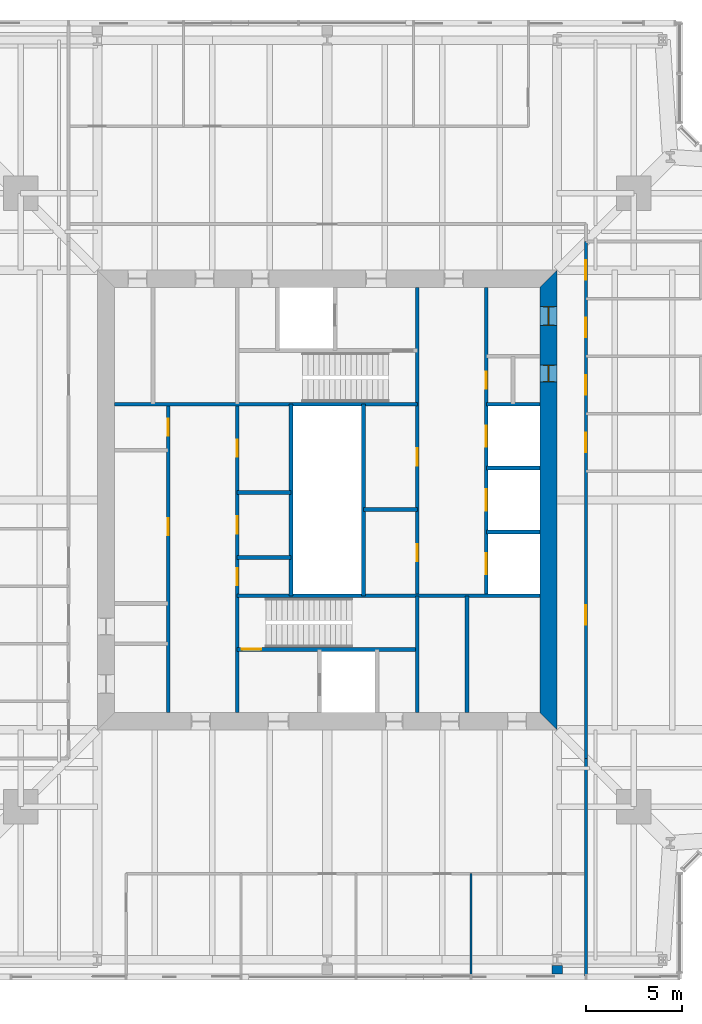
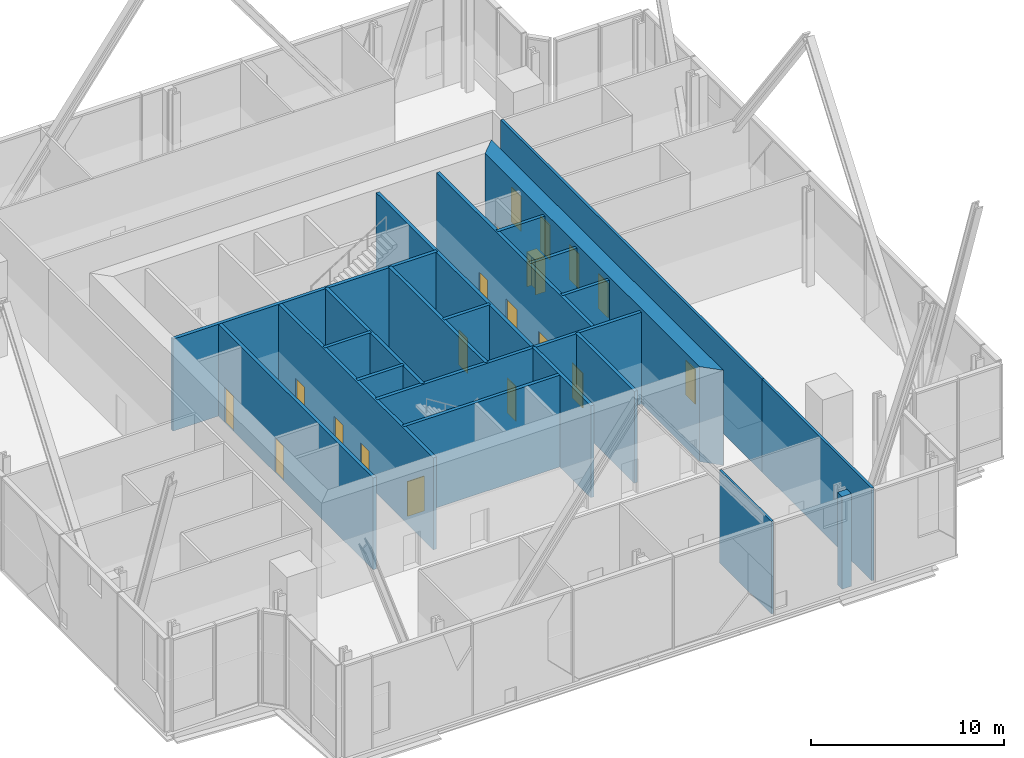
# One storey, part 11 of 20: 22 walls, 19 doors, 19 openings.
"""IFC4 building model written with IfcOpenShell, lengths in metres."""

from ifc_helpers import new_model, si_unit, direction, frame, frame_2d, origin, place, context, subcontext, project, spatial, polyline, rectangle, outline, extrude, material, layer, layer_set, type_object, element, fill, save


model = new_model("IFC4")

# Units and contexts
model_context = context("Model", 3, precision=1e-05, world=origin(), true_north=direction((0.0, 1.0)))
body_context = subcontext(model_context, "Body", "Model", "MODEL_VIEW")
ifc_project = project(units=[si_unit("LENGTHUNIT", "METRE"), si_unit("AREAUNIT", "SQUARE_METRE"), si_unit("VOLUMEUNIT", "CUBIC_METRE"), si_unit("PLANEANGLEUNIT", "RADIAN"), si_unit("MASSUNIT", "GRAM", prefix="KILO")], contexts=[model_context])

# Site, building, storey
site_placement = place(None, origin())
site = spatial("IfcSite", under=ifc_project, at=site_placement, CompositionType="ELEMENT")
building_placement = place(site_placement, origin())
building = spatial("IfcBuilding", under=site, at=building_placement, Name="Fenwick Lantern Interchange", CompositionType="ELEMENT")
storey_placement = place(building_placement, frame((0.0, 0.0, 239.800048828125)))
storey = spatial("IfcBuildingStorey", under=building, at=storey_placement, Name="L56", CompositionType="ELEMENT", Elevation=239.800048828125)

# Wall
ifc_material_1 = material(Name="Fire-rated gypsum board encasement on steel studs, 2 hour", Category="steel")
ifc_layer_1 = layer(ifc_material_1, 0.554931640625)
ifc_layer_set_1 = layer_set([ifc_layer_1], Name="COLUMN PIER 555")
wall_type_1 = type_object("IfcWallType", Name="COLUMN PIER 555", PredefinedType="PARTITIONING", material=ifc_layer_set_1)
wall_1_placement = place(storey_placement, frame((37.0, 0.25, 0.0), z_axis=(0.0, 0.0, 1.0), x_axis=(0.0, 1.0, 0.0)))
element("IfcWall", 1, at=wall_1_placement, inside=storey, type_object=wall_type_1, Name="L56/W/PIER/CS4", PredefinedType="PARTITIONING", context=body_context, shape_type="SweptSolid", body=[
    extrude(rectangle(XDim=0.465576171875, YDim=0.554931640625, at=frame_2d((0.23291015625, 0.0))), origin(), (0.0, 0.0, 1.0), 5.849853515625),
])

# Wall, openings, doors
ifc_material_2 = material(Name="Concrete masonry ASTM C90 Grade N", Category="masonry")
ifc_layer_2 = layer(ifc_material_2, 0.199951171875)
ifc_layer_set_2 = layer_set([ifc_layer_2], Name="Concrete masonry ASTM C90 Grade N")
wall_type_2 = type_object("IfcWallType", Name="CORE PARTITION 200", PredefinedType="PARTITIONING", material=ifc_layer_set_2)
wall_2_placement = place(storey_placement, frame((16.699951171875, 13.89990234375, 0.0), z_axis=(0.0, 0.0, 1.0), x_axis=(0.0, 1.0, 0.0)))
wall_2 = element("IfcWall", 2, at=wall_2_placement, inside=storey, type_object=wall_type_2, Name="L56/W/CORES/a", PredefinedType="PARTITIONING", context=body_context, shape_type="SweptSolid", body=[
    extrude(rectangle(XDim=16.10009765625, YDim=0.199951171875, at=frame_2d((8.050048828125, 0.0))), origin(), (0.0, 0.0, 1.0), 5.800048828125),
])
opening_1_placement = place(wall_2_placement, frame((9.25, 0.0, 0.0)))
opening_1 = element("IfcOpeningElement", 3, at=opening_1_placement, cuts=wall_2, Name="Opening L56-D009", PredefinedType="OPENING", context=body_context, shape_type="SweptSolid", body=[
    extrude(rectangle(XDim=0.89990234375, YDim=2.199951171875, at=frame_2d((0.449951171875, 1.10009765625))), frame((0.0, 0.10986328125, 0.0), z_axis=(0.0, -1.0, 0.0), x_axis=(1.0, 0.0, 0.0)), (0.0, 0.0, 1.0), 0.219970703125),
])
opening_2_placement = place(wall_2_placement, frame((14.449951171875, 0.0, 0.0)))
opening_2 = element("IfcOpeningElement", 4, at=opening_2_placement, cuts=wall_2, Name="Opening L56-D010", PredefinedType="OPENING", context=body_context, shape_type="SweptSolid", body=[
    extrude(rectangle(XDim=0.89990234375, YDim=2.199951171875, at=frame_2d((0.449951171875, 1.10009765625))), frame((0.0, 0.10986328125, 0.0), z_axis=(0.0, -1.0, 0.0), x_axis=(1.0, 0.0, 0.0)), (0.0, 0.0, 1.0), 0.219970703125),
])
ifc_material_3 = material(Name="Steel door and frame", Category="steel")
door_type_1 = type_object("IfcDoorType", Name="SERVICE DOOR 900 X 2200", OperationType="SINGLE_SWING_LEFT", PredefinedType="DOOR", material=ifc_material_3)
door_1_placement = place(opening_1_placement, origin())
door_1 = element("IfcDoor", 5, at=door_1_placement, inside=storey, type_object=door_type_1, Name="Service door", OperationType="SINGLE_SWING_LEFT", OverallHeight=2.199951171875, OverallWidth=0.89990234375, PredefinedType="DOOR", context=body_context, shape_type="SweptSolid", body=[
    extrude(rectangle(XDim=0.89990234375, YDim=2.199951171875, at=frame_2d((0.449951171875, 1.10009765625))), frame((0.0, 0.02490234375, 0.0), z_axis=(0.0, -1.0, 0.0), x_axis=(1.0, 0.0, 0.0)), (0.0, 0.0, 1.0), 0.050048828125),
])
fill(opening_1, door_1)
door_2_placement = place(opening_2_placement, origin())
door_2 = element("IfcDoor", 6, at=door_2_placement, inside=storey, type_object=door_type_1, Name="Service door", OperationType="SINGLE_SWING_LEFT", OverallHeight=2.199951171875, OverallWidth=0.89990234375, PredefinedType="DOOR", context=body_context, shape_type="SweptSolid", body=[
    extrude(rectangle(XDim=0.89990234375, YDim=2.199951171875, at=frame_2d((0.449951171875, 1.10009765625))), frame((0.0, 0.02490234375, 0.0), z_axis=(0.0, -1.0, 0.0), x_axis=(1.0, 0.0, 0.0)), (0.0, 0.0, 1.0), 0.050048828125),
])
fill(opening_2, door_2)

# Walls
wall_3_placement = place(storey_placement, frame((23.10009765625, 20.0, 0.0), z_axis=(0.0, 0.0, 1.0), x_axis=(0.0, 1.0, 0.0)))
element("IfcWall", 7, at=wall_3_placement, inside=storey, type_object=wall_type_2, Name="L56/W/CORES/e3", PredefinedType="PARTITIONING", context=body_context, shape_type="SweptSolid", body=[
    extrude(rectangle(XDim=10.0, YDim=0.199951171875, at=frame_2d((5.0, 0.0))), origin(), (0.0, 0.0, 1.0), 5.800048828125),
])
wall_4_placement = place(storey_placement, frame((32.300048828125, 13.89990234375, 0.0), z_axis=(0.0, 0.0, 1.0), x_axis=(0.0, 1.0, 0.0)))
element("IfcWall", 8, at=wall_4_placement, inside=storey, type_object=wall_type_2, Name="L56/W/CORES/i2", PredefinedType="PARTITIONING", context=body_context, shape_type="SweptSolid", body=[
    extrude(rectangle(XDim=6.10009765625, YDim=0.199951171875, at=frame_2d((3.050048828125, 0.0))), origin(), (0.0, 0.0, 1.0), 5.800048828125),
])
for number, where, z_axis, x_axis, name in (
    (9, (20.300048828125, 22.0, 0.0), (0.0, 0.0, 1.0), (1.0, 0.0, 0.0), "L56/W/CORES/q1"),
    (10, (20.300048828125, 25.39990234375, 0.0), (0.0, 0.0, 1.0), (1.0, 0.0, 0.0), "L56/W/CORES/q2"),
):
    element("IfcWall", number, at=place(storey_placement, frame(where, z_axis=z_axis, x_axis=x_axis)), inside=storey, type_object=wall_type_2, Name=name, PredefinedType="PARTITIONING", context=body_context, shape_type="SweptSolid", body=[
        extrude(rectangle(XDim=2.800048828125, YDim=0.199951171875, at=frame_2d((1.39990234375, 0.0))), origin(), (0.0, 0.0, 1.0), 5.800048828125),
    ])

# Wall, openings, doors
wall_5_placement = place(storey_placement, frame((33.300048828125, 36.10009765625, 0.0), z_axis=(0.0, 0.0, 1.0), x_axis=(0.0, -1.0, 0.0)))
wall_5 = element("IfcWall", 11, at=wall_5_placement, inside=storey, type_object=wall_type_2, Name="L56/W/COREN/a", PredefinedType="PARTITIONING", context=body_context, shape_type="SweptSolid", body=[
    extrude(rectangle(XDim=16.10009765625, YDim=0.199951171875, at=frame_2d((8.050048828125, 0.0))), origin(), (0.0, 0.0, 1.0), 5.800048828125),
])
opening_3_placement = place(wall_5_placement, frame((4.39990234375, 0.0, 0.0)))
opening_3 = element("IfcOpeningElement", 12, at=opening_3_placement, cuts=wall_5, Name="Opening L56-D021", PredefinedType="OPENING", context=body_context, shape_type="SweptSolid", body=[
    extrude(rectangle(XDim=0.89990234375, YDim=2.199951171875, at=frame_2d((0.449951171875, 1.10009765625))), frame((0.0, 0.10986328125, 0.0), z_axis=(0.0, -1.0, 0.0), x_axis=(1.0, 0.0, 0.0)), (0.0, 0.0, 1.0), 0.219970703125),
])
opening_4_placement = place(wall_5_placement, frame((7.216552734375, 0.0, 0.0)))
opening_4 = element("IfcOpeningElement", 13, at=opening_4_placement, cuts=wall_5, Name="Opening LD-E1-1", PredefinedType="OPENING", context=body_context, shape_type="SweptSolid", body=[
    extrude(rectangle(XDim=1.10009765625, YDim=2.199951171875, at=frame_2d((0.550048828125, 1.10009765625))), frame((0.0, 0.10986328125, 0.0), z_axis=(0.0, -1.0, 0.0), x_axis=(1.0, 0.0, 0.0)), (0.0, 0.0, 1.0), 0.219970703125),
])
opening_5_placement = place(wall_5_placement, frame((10.550048828125, 0.0, 0.0)))
opening_5 = element("IfcOpeningElement", 14, at=opening_5_placement, cuts=wall_5, Name="Opening LD-E1-2", PredefinedType="OPENING", context=body_context, shape_type="SweptSolid", body=[
    extrude(rectangle(XDim=1.10009765625, YDim=2.199951171875, at=frame_2d((0.550048828125, 1.10009765625))), frame((0.0, 0.10986328125, 0.0), z_axis=(0.0, -1.0, 0.0), x_axis=(1.0, 0.0, 0.0)), (0.0, 0.0, 1.0), 0.219970703125),
])
opening_6_placement = place(wall_5_placement, frame((13.88330078125, 0.0, 0.0)))
opening_6 = element("IfcOpeningElement", 15, at=opening_6_placement, cuts=wall_5, Name="Opening LD-E1-3", PredefinedType="OPENING", context=body_context, shape_type="SweptSolid", body=[
    extrude(rectangle(XDim=1.10009765625, YDim=2.199951171875, at=frame_2d((0.550048828125, 1.10009765625))), frame((0.0, 0.10986328125, 0.0), z_axis=(0.0, -1.0, 0.0), x_axis=(1.0, 0.0, 0.0)), (0.0, 0.0, 1.0), 0.219970703125),
])
door_type_2 = type_object("IfcDoorType", Name="LIFT LANDING DOOR 1100 X 2200", OperationType="DOUBLE_DOOR_SLIDING", PredefinedType="DOOR", material=ifc_material_3)
door_3_placement = place(opening_4_placement, origin())
door_3 = element("IfcDoor", 16, at=door_3_placement, inside=storey, type_object=door_type_2, Name="Lift landing door E1-1", OperationType="DOUBLE_DOOR_SLIDING", OverallHeight=2.199951171875, OverallWidth=1.10009765625, PredefinedType="DOOR", context=body_context, shape_type="SweptSolid", body=[
    extrude(rectangle(XDim=1.10009765625, YDim=2.199951171875, at=frame_2d((0.550048828125, 1.10009765625))), frame((0.0, 0.02490234375, 0.0), z_axis=(0.0, -1.0, 0.0), x_axis=(1.0, 0.0, 0.0)), (0.0, 0.0, 1.0), 0.050048828125),
])
fill(opening_4, door_3)
door_4_placement = place(opening_5_placement, origin())
door_4 = element("IfcDoor", 17, at=door_4_placement, inside=storey, type_object=door_type_2, Name="Lift landing door E1-2", OperationType="DOUBLE_DOOR_SLIDING", OverallHeight=2.199951171875, OverallWidth=1.10009765625, PredefinedType="DOOR", context=body_context, shape_type="SweptSolid", body=[
    extrude(rectangle(XDim=1.10009765625, YDim=2.199951171875, at=frame_2d((0.550048828125, 1.10009765625))), frame((0.0, 0.02490234375, 0.0), z_axis=(0.0, -1.0, 0.0), x_axis=(1.0, 0.0, 0.0)), (0.0, 0.0, 1.0), 0.050048828125),
])
fill(opening_5, door_4)
door_5_placement = place(opening_6_placement, origin())
door_5 = element("IfcDoor", 18, at=door_5_placement, inside=storey, type_object=door_type_2, Name="Lift landing door E1-3", OperationType="DOUBLE_DOOR_SLIDING", OverallHeight=2.199951171875, OverallWidth=1.10009765625, PredefinedType="DOOR", context=body_context, shape_type="SweptSolid", body=[
    extrude(rectangle(XDim=1.10009765625, YDim=2.199951171875, at=frame_2d((0.550048828125, 1.10009765625))), frame((0.0, 0.02490234375, 0.0), z_axis=(0.0, -1.0, 0.0), x_axis=(1.0, 0.0, 0.0)), (0.0, 0.0, 1.0), 0.050048828125),
])
fill(opening_6, door_5)
door_6_placement = place(opening_3_placement, origin())
door_6 = element("IfcDoor", 19, at=door_6_placement, inside=storey, type_object=door_type_1, Name="Service door", OperationType="SINGLE_SWING_LEFT", OverallHeight=2.199951171875, OverallWidth=0.89990234375, PredefinedType="DOOR", context=body_context, shape_type="SweptSolid", body=[
    extrude(rectangle(XDim=0.89990234375, YDim=2.199951171875, at=frame_2d((0.449951171875, 1.10009765625))), frame((0.0, 0.02490234375, 0.0), z_axis=(0.0, -1.0, 0.0), x_axis=(1.0, 0.0, 0.0)), (0.0, 0.0, 1.0), 0.050048828125),
])
fill(opening_3, door_6)

# Walls
for number, where, z_axis, x_axis, name in (
    (20, (36.10009765625, 30.0, 0.0), (0.0, 0.0, 1.0), (-1.0, 0.0, 0.0), "L56/W/COREN/c2"),
    (21, (36.10009765625, 26.666748046875, 0.0), (0.0, 0.0, 1.0), (-1.0, 0.0, 0.0), "L56/W/COREN/d1"),
    (22, (36.10009765625, 23.333251953125, 0.0), (0.0, 0.0, 1.0), (-1.0, 0.0, 0.0), "L56/W/COREN/d2"),
):
    element("IfcWall", number, at=place(storey_placement, frame(where, z_axis=z_axis, x_axis=x_axis)), inside=storey, type_object=wall_type_2, Name=name, PredefinedType="PARTITIONING", context=body_context, shape_type="SweptSolid", body=[
        extrude(rectangle(XDim=2.800048828125, YDim=0.199951171875, at=frame_2d((1.39990234375, 0.0))), origin(), (0.0, 0.0, 1.0), 5.800048828125),
    ])
wall_6_placement = place(storey_placement, frame((26.89990234375, 30.0, 0.0), z_axis=(0.0, 0.0, 1.0), x_axis=(0.0, -1.0, 0.0)))
element("IfcWall", 23, at=wall_6_placement, inside=storey, type_object=wall_type_2, Name="L56/W/COREN/e3", PredefinedType="PARTITIONING", context=body_context, shape_type="SweptSolid", body=[
    extrude(rectangle(XDim=10.0, YDim=0.199951171875, at=frame_2d((5.0, 0.0))), origin(), (0.0, 0.0, 1.0), 5.800048828125),
])
wall_7_placement = place(storey_placement, frame((29.699951171875, 24.5, 0.0), z_axis=(0.0, 0.0, 1.0), x_axis=(-1.0, 0.0, 0.0)))
element("IfcWall", 24, at=wall_7_placement, inside=storey, type_object=wall_type_2, Name="L56/W/COREN/q1", PredefinedType="PARTITIONING", context=body_context, shape_type="SweptSolid", body=[
    extrude(rectangle(XDim=2.800048828125, YDim=0.199951171875, at=frame_2d((1.39990234375, 0.0))), origin(), (0.0, 0.0, 1.0), 5.800048828125),
])

# Wall, openings, doors
ifc_material_4 = material(Name="Concrete f'c 70 MPa", Category="concrete")
ifc_layer_3 = layer(ifc_material_4, 0.89990234375)
ifc_layer_set_3 = layer_set([ifc_layer_3], Name="CORE WALL 900")
wall_type_3 = type_object("IfcWallType", Name="CORE WALL 900", PredefinedType="SHEAR", material=ifc_layer_set_3)
wall_8_placement = place(storey_placement, frame((36.550048828125, 13.89990234375, 0.0), z_axis=(0.0, 0.0, 1.0), x_axis=(0.0, 1.0, 0.0)))
wall_8 = element("IfcWall", 25, at=wall_8_placement, inside=storey, type_object=wall_type_3, Name="L56/CORE/E", PredefinedType="SHEAR", context=body_context, shape_type="SweptSolid", body=[
    extrude(outline(polyline([(-0.89990234375, -0.449951171875), (23.10009765625, -0.449951171875), (22.199951171875, 0.449951171875), (0.0, 0.449951171875), (-0.89990234375, -0.449951171875)])), origin(), (0.0, 0.0, 1.0), 6.0),
])
opening_7_placement = place(wall_8_placement, frame((20.199951171875, 0.0, 0.0)))
opening_7 = element("IfcOpeningElement", 26, at=opening_7_placement, cuts=wall_8, Name="Opening L56-D020", PredefinedType="OPENING", context=body_context, shape_type="SweptSolid", body=[
    extrude(rectangle(XDim=1.0, YDim=2.199951171875, at=frame_2d((0.5, 1.10009765625))), frame((0.0, 0.4599609375, 0.0), z_axis=(0.0, -1.0, 0.0), x_axis=(1.0, 0.0, 0.0)), (0.0, 0.0, 1.0), 0.919921875),
])
opening_8_placement = place(wall_8_placement, frame((17.25, 0.0, 0.0)))
opening_8 = element("IfcOpeningElement", 27, at=opening_8_placement, cuts=wall_8, Name="Opening L56-D022", PredefinedType="OPENING", context=body_context, shape_type="SweptSolid", body=[
    extrude(rectangle(XDim=0.89990234375, YDim=2.199951171875, at=frame_2d((0.449951171875, 1.10009765625))), frame((0.0, 0.4599609375, 0.0), z_axis=(0.0, -1.0, 0.0), x_axis=(1.0, 0.0, 0.0)), (0.0, 0.0, 1.0), 0.919921875),
])
door_7_placement = place(opening_8_placement, origin())
door_7 = element("IfcDoor", 28, at=door_7_placement, inside=storey, type_object=door_type_1, Name="Service door", OperationType="SINGLE_SWING_RIGHT", OverallHeight=2.199951171875, OverallWidth=0.89990234375, PredefinedType="DOOR", context=body_context, shape_type="SweptSolid", body=[
    extrude(rectangle(XDim=0.89990234375, YDim=2.199951171875, at=frame_2d((0.449951171875, 1.10009765625))), frame((0.0, 0.02490234375, 0.0), z_axis=(0.0, -1.0, 0.0), x_axis=(1.0, 0.0, 0.0)), (0.0, 0.0, 1.0), 0.050048828125),
    extrude(outline(polyline([(0.0, 0.0), (0.0400390625, 0.0), (0.0400390625, 2.159912109375), (0.85986328125, 2.159912109375), (0.85986328125, 0.0), (0.89990234375, 0.0), (0.89990234375, 2.199951171875), (0.0, 2.199951171875), (0.0, 0.0)])), frame((0.0, 0.300048828125, 0.0), z_axis=(0.0, -1.0, 0.0), x_axis=(1.0, 0.0, 0.0)), (0.0, 0.0, 1.0), 0.60009765625),
])
fill(opening_8, door_7)
ifc_material_5 = material(Name="Hardwood door and steel frame", Category="steel")
door_type_3 = type_object("IfcDoorType", Name="WC DOOR 1000 X 2200", OperationType="SINGLE_SWING_LEFT", PredefinedType="DOOR", material=ifc_material_5)
door_8_placement = place(opening_7_placement, origin())
door_8 = element("IfcDoor", 29, at=door_8_placement, inside=storey, type_object=door_type_3, Name="Wc door", OperationType="SINGLE_SWING_RIGHT", OverallHeight=2.199951171875, OverallWidth=1.0, PredefinedType="DOOR", context=body_context, shape_type="SweptSolid", body=[
    extrude(rectangle(XDim=1.0, YDim=2.199951171875, at=frame_2d((0.5, 1.10009765625))), frame((0.0, 0.02490234375, 0.0), z_axis=(0.0, -1.0, 0.0), x_axis=(1.0, 0.0, 0.0)), (0.0, 0.0, 1.0), 0.050048828125),
    extrude(outline(polyline([(0.0, 0.0), (0.0400390625, 0.0), (0.0400390625, 2.159912109375), (0.9599609375, 2.159912109375), (0.9599609375, 0.0), (1.0, 0.0), (1.0, 2.199951171875), (0.0, 2.199951171875), (0.0, 0.0)])), frame((0.0, 0.300048828125, 0.0), z_axis=(0.0, -1.0, 0.0), x_axis=(1.0, 0.0, 0.0)), (0.0, 0.0, 1.0), 0.60009765625),
])
fill(opening_7, door_8)

ifc_material_6 = material(Name="Gypsum board on steel studs, 1 hour", Category="steel")
ifc_layer_4 = layer(ifc_material_6, 0.14990234375)
ifc_layer_set_4 = layer_set([ifc_layer_4], Name="CORRIDOR WALL 150")
wall_type_4 = type_object("IfcWallType", Name="CORRIDOR WALL 150", PredefinedType="PARTITIONING", material=ifc_layer_set_4)
wall_9_placement = place(storey_placement, frame((38.5, 11.5, 0.0), z_axis=(0.0, 0.0, 1.0), x_axis=(0.0, 1.0, 0.0)))
wall_9 = element("IfcWall", 30, at=wall_9_placement, inside=storey, type_object=wall_type_4, Name="L56/W/OFF/E/CW", PredefinedType="PARTITIONING", context=body_context, shape_type="SweptSolid", body=[
    extrude(rectangle(XDim=27.0, YDim=0.14990234375, at=frame_2d((13.5, 0.0))), origin(), (0.0, 0.0, 1.0), 5.849853515625),
])
opening_9_placement = place(wall_9_placement, frame((7.0, 0.0, 0.0)))
opening_9 = element("IfcOpeningElement", 31, at=opening_9_placement, cuts=wall_9, Name="Opening L56-D029", PredefinedType="OPENING", context=body_context, shape_type="SweptSolid", body=[
    extrude(rectangle(XDim=1.0, YDim=2.199951171875, at=frame_2d((0.5, 1.10009765625))), frame((0.0, 0.0849609375, 0.0), z_axis=(0.0, -1.0, 0.0), x_axis=(1.0, 0.0, 0.0)), (0.0, 0.0, 1.0), 0.169921875),
])
opening_10_placement = place(wall_9_placement, frame((16.0, 0.0, 0.0)))
opening_10 = element("IfcOpeningElement", 32, at=opening_10_placement, cuts=wall_9, Name="Opening L56-D030", PredefinedType="OPENING", context=body_context, shape_type="SweptSolid", body=[
    extrude(rectangle(XDim=1.0, YDim=2.199951171875, at=frame_2d((0.5, 1.10009765625))), frame((0.0, 0.0849609375, 0.0), z_axis=(0.0, -1.0, 0.0), x_axis=(1.0, 0.0, 0.0)), (0.0, 0.0, 1.0), 0.169921875),
])
opening_11_placement = place(wall_9_placement, frame((19.0, 0.0, 0.0)))
opening_11 = element("IfcOpeningElement", 33, at=opening_11_placement, cuts=wall_9, Name="Opening L56-D031", PredefinedType="OPENING", context=body_context, shape_type="SweptSolid", body=[
    extrude(rectangle(XDim=1.0, YDim=2.199951171875, at=frame_2d((0.5, 1.10009765625))), frame((0.0, 0.0849609375, 0.0), z_axis=(0.0, -1.0, 0.0), x_axis=(1.0, 0.0, 0.0)), (0.0, 0.0, 1.0), 0.169921875),
])
opening_12_placement = place(wall_9_placement, frame((22.0, 0.0, 0.0)))
opening_12 = element("IfcOpeningElement", 34, at=opening_12_placement, cuts=wall_9, Name="Opening L56-D032", PredefinedType="OPENING", context=body_context, shape_type="SweptSolid", body=[
    extrude(rectangle(XDim=1.0, YDim=2.199951171875, at=frame_2d((0.5, 1.10009765625))), frame((0.0, 0.0849609375, 0.0), z_axis=(0.0, -1.0, 0.0), x_axis=(1.0, 0.0, 0.0)), (0.0, 0.0, 1.0), 0.169921875),
])
opening_13_placement = place(wall_9_placement, frame((25.0, 0.0, 0.0)))
opening_13 = element("IfcOpeningElement", 35, at=opening_13_placement, cuts=wall_9, Name="Opening L56-D033", PredefinedType="OPENING", context=body_context, shape_type="SweptSolid", body=[
    extrude(rectangle(XDim=1.0, YDim=2.199951171875, at=frame_2d((0.5, 1.10009765625))), frame((0.0, 0.0849609375, 0.0), z_axis=(0.0, -1.0, 0.0), x_axis=(1.0, 0.0, 0.0)), (0.0, 0.0, 1.0), 0.169921875),
])
door_type_4 = type_object("IfcDoorType", Name="SUITE ENTRANCE DOOR 1000 X 2200", OperationType="SINGLE_SWING_LEFT", PredefinedType="DOOR", material=ifc_material_3)
door_9_placement = place(opening_9_placement, frame((1.0, 0.0, 0.0), z_axis=(0.0, 0.0, 1.0), x_axis=(-1.0, 0.0, 0.0)))
door_9 = element("IfcDoor", 36, at=door_9_placement, inside=storey, type_object=door_type_4, Name="Suite entrance door", OperationType="SINGLE_SWING_LEFT", OverallHeight=2.199951171875, OverallWidth=1.0, PredefinedType="DOOR", context=body_context, shape_type="SweptSolid", body=[
    extrude(rectangle(XDim=1.0, YDim=2.199951171875, at=frame_2d((0.5, 1.10009765625))), frame((0.0, 0.02490234375, 0.0), z_axis=(0.0, -1.0, 0.0), x_axis=(1.0, 0.0, 0.0)), (0.0, 0.0, 1.0), 0.050048828125),
])
fill(opening_9, door_9)
door_10_placement = place(opening_10_placement, frame((1.0, 0.0, 0.0), z_axis=(0.0, 0.0, 1.0), x_axis=(-1.0, 0.0, 0.0)))
door_10 = element("IfcDoor", 37, at=door_10_placement, inside=storey, type_object=door_type_4, Name="Suite entrance door", OperationType="SINGLE_SWING_RIGHT", OverallHeight=2.199951171875, OverallWidth=1.0, PredefinedType="DOOR", context=body_context, shape_type="SweptSolid", body=[
    extrude(rectangle(XDim=1.0, YDim=2.199951171875, at=frame_2d((0.5, 1.10009765625))), frame((0.0, 0.02490234375, 0.0), z_axis=(0.0, -1.0, 0.0), x_axis=(1.0, 0.0, 0.0)), (0.0, 0.0, 1.0), 0.050048828125),
])
fill(opening_10, door_10)
door_11_placement = place(opening_11_placement, frame((1.0, 0.0, 0.0), z_axis=(0.0, 0.0, 1.0), x_axis=(-1.0, 0.0, 0.0)))
door_11 = element("IfcDoor", 38, at=door_11_placement, inside=storey, type_object=door_type_4, Name="Suite entrance door", OperationType="SINGLE_SWING_RIGHT", OverallHeight=2.199951171875, OverallWidth=1.0, PredefinedType="DOOR", context=body_context, shape_type="SweptSolid", body=[
    extrude(rectangle(XDim=1.0, YDim=2.199951171875, at=frame_2d((0.5, 1.10009765625))), frame((0.0, 0.02490234375, 0.0), z_axis=(0.0, -1.0, 0.0), x_axis=(1.0, 0.0, 0.0)), (0.0, 0.0, 1.0), 0.050048828125),
])
fill(opening_11, door_11)
door_12_placement = place(opening_12_placement, frame((1.0, 0.0, 0.0), z_axis=(0.0, 0.0, 1.0), x_axis=(-1.0, 0.0, 0.0)))
door_12 = element("IfcDoor", 39, at=door_12_placement, inside=storey, type_object=door_type_4, Name="Suite entrance door", OperationType="SINGLE_SWING_RIGHT", OverallHeight=2.199951171875, OverallWidth=1.0, PredefinedType="DOOR", context=body_context, shape_type="SweptSolid", body=[
    extrude(rectangle(XDim=1.0, YDim=2.199951171875, at=frame_2d((0.5, 1.10009765625))), frame((0.0, 0.02490234375, 0.0), z_axis=(0.0, -1.0, 0.0), x_axis=(1.0, 0.0, 0.0)), (0.0, 0.0, 1.0), 0.050048828125),
])
fill(opening_12, door_12)
door_13_placement = place(opening_13_placement, frame((1.0, 0.0, 0.0), z_axis=(0.0, 0.0, 1.0), x_axis=(-1.0, 0.0, 0.0)))
door_13 = element("IfcDoor", 40, at=door_13_placement, inside=storey, type_object=door_type_4, Name="Suite entrance door", OperationType="SINGLE_SWING_RIGHT", OverallHeight=2.199951171875, OverallWidth=1.0, PredefinedType="DOOR", context=body_context, shape_type="SweptSolid", body=[
    extrude(rectangle(XDim=1.0, YDim=2.199951171875, at=frame_2d((0.5, 1.10009765625))), frame((0.0, 0.02490234375, 0.0), z_axis=(0.0, -1.0, 0.0), x_axis=(1.0, 0.0, 0.0)), (0.0, 0.0, 1.0), 0.050048828125),
])
fill(opening_13, door_13)

# Wall
ifc_material_7 = material(Name="Gypsum board on steel studs, acoustic", Category="steel")
ifc_layer_5 = layer(ifc_material_7, 0.125)
ifc_layer_set_5 = layer_set([ifc_layer_5], Name="OFFICE PARTITION 125")
wall_type_5 = type_object("IfcWallType", Name="OFFICE PARTITION 125", PredefinedType="PARTITIONING", material=ifc_layer_set_5)
wall_10_placement = place(storey_placement, frame((32.5, 0.14990234375, 0.0), z_axis=(0.0, 0.0, 1.0), x_axis=(0.0, 1.0, 0.0)))
element("IfcWall", 41, at=wall_10_placement, inside=storey, type_object=wall_type_5, Name="L56/W/OFF/S/X325-1", PredefinedType="PARTITIONING", context=body_context, shape_type="SweptSolid", body=[
    extrude(rectangle(XDim=5.35009765625, YDim=0.125, at=frame_2d((2.675048828125, 0.0))), origin(), (0.0, 0.0, 1.0), 5.849853515625),
])

# Wall, openings, doors
ifc_material_8 = material(Name="Concrete f'c 45 MPa", Category="concrete")
ifc_layer_6 = layer(ifc_material_8, 0.199951171875)
ifc_layer_set_6 = layer_set([ifc_layer_6], Name="STAIR CORE WALL 200")
wall_type_6 = type_object("IfcWallType", Name="STAIR CORE WALL 200", PredefinedType="SOLIDWALL", material=ifc_layer_set_6)
wall_11_placement = place(storey_placement, frame((20.300048828125, 13.89990234375, 0.0), z_axis=(0.0, 0.0, 1.0), x_axis=(0.0, 1.0, 0.0)))
wall_11 = element("IfcWall", 42, at=wall_11_placement, inside=storey, type_object=wall_type_6, Name="L56/W/CORES/b", PredefinedType="SOLIDWALL", context=body_context, shape_type="SweptSolid", body=[
    extrude(rectangle(XDim=16.10009765625, YDim=0.199951171875, at=frame_2d((8.050048828125, 0.0))), origin(), (0.0, 0.0, 1.0), 5.800048828125),
])
opening_14_placement = place(wall_11_placement, frame((6.64990234375, 0.0, 0.0)))
opening_14 = element("IfcOpeningElement", 43, at=opening_14_placement, cuts=wall_11, Name="Opening L56-D011", PredefinedType="OPENING", context=body_context, shape_type="SweptSolid", body=[
    extrude(rectangle(XDim=0.89990234375, YDim=2.199951171875, at=frame_2d((0.449951171875, 1.10009765625))), frame((0.0, 0.10986328125, 0.0), z_axis=(0.0, -1.0, 0.0), x_axis=(1.0, 0.0, 0.0)), (0.0, 0.0, 1.0), 0.219970703125),
])
opening_15_placement = place(wall_11_placement, frame((9.35009765625, 0.0, 0.0)))
opening_15 = element("IfcOpeningElement", 44, at=opening_15_placement, cuts=wall_11, Name="Opening L56-D012", PredefinedType="OPENING", context=body_context, shape_type="SweptSolid", body=[
    extrude(rectangle(XDim=0.89990234375, YDim=2.199951171875, at=frame_2d((0.449951171875, 1.10009765625))), frame((0.0, 0.10986328125, 0.0), z_axis=(0.0, -1.0, 0.0), x_axis=(1.0, 0.0, 0.0)), (0.0, 0.0, 1.0), 0.219970703125),
])
opening_16_placement = place(wall_11_placement, frame((13.35009765625, 0.0, 0.0)))
opening_16 = element("IfcOpeningElement", 45, at=opening_16_placement, cuts=wall_11, Name="Opening L56-D013", PredefinedType="OPENING", context=body_context, shape_type="SweptSolid", body=[
    extrude(rectangle(XDim=0.89990234375, YDim=2.199951171875, at=frame_2d((0.449951171875, 1.10009765625))), frame((0.0, 0.10986328125, 0.0), z_axis=(0.0, -1.0, 0.0), x_axis=(1.0, 0.0, 0.0)), (0.0, 0.0, 1.0), 0.219970703125),
])
door_14_placement = place(opening_14_placement, frame((0.89990234375, 0.0, 0.0), z_axis=(0.0, 0.0, 1.0), x_axis=(-1.0, 0.0, 0.0)))
door_14 = element("IfcDoor", 46, at=door_14_placement, inside=storey, type_object=door_type_1, Name="Service door", OperationType="SINGLE_SWING_RIGHT", OverallHeight=2.199951171875, OverallWidth=0.89990234375, PredefinedType="DOOR", context=body_context, shape_type="SweptSolid", body=[
    extrude(rectangle(XDim=0.89990234375, YDim=2.199951171875, at=frame_2d((0.449951171875, 1.10009765625))), frame((0.0, 0.02490234375, 0.0), z_axis=(0.0, -1.0, 0.0), x_axis=(1.0, 0.0, 0.0)), (0.0, 0.0, 1.0), 0.050048828125),
])
fill(opening_14, door_14)
door_15_placement = place(opening_15_placement, frame((0.89990234375, 0.0, 0.0), z_axis=(0.0, 0.0, 1.0), x_axis=(-1.0, 0.0, 0.0)))
door_15 = element("IfcDoor", 47, at=door_15_placement, inside=storey, type_object=door_type_1, Name="Service door", OperationType="SINGLE_SWING_RIGHT", OverallHeight=2.199951171875, OverallWidth=0.89990234375, PredefinedType="DOOR", context=body_context, shape_type="SweptSolid", body=[
    extrude(rectangle(XDim=0.89990234375, YDim=2.199951171875, at=frame_2d((0.449951171875, 1.10009765625))), frame((0.0, 0.02490234375, 0.0), z_axis=(0.0, -1.0, 0.0), x_axis=(1.0, 0.0, 0.0)), (0.0, 0.0, 1.0), 0.050048828125),
])
fill(opening_15, door_15)
door_16_placement = place(opening_16_placement, frame((0.89990234375, 0.0, 0.0), z_axis=(0.0, 0.0, 1.0), x_axis=(-1.0, 0.0, 0.0)))
door_16 = element("IfcDoor", 48, at=door_16_placement, inside=storey, type_object=door_type_1, Name="Service door", OperationType="SINGLE_SWING_RIGHT", OverallHeight=2.199951171875, OverallWidth=0.89990234375, PredefinedType="DOOR", context=body_context, shape_type="SweptSolid", body=[
    extrude(rectangle(XDim=0.89990234375, YDim=2.199951171875, at=frame_2d((0.449951171875, 1.10009765625))), frame((0.0, 0.02490234375, 0.0), z_axis=(0.0, -1.0, 0.0), x_axis=(1.0, 0.0, 0.0)), (0.0, 0.0, 1.0), 0.050048828125),
])
fill(opening_16, door_16)

# Wall, opening, door
wall_12_placement = place(storey_placement, frame((20.300048828125, 17.199951171875, 0.0), z_axis=(0.0, 0.0, 1.0), x_axis=(1.0, 0.0, 0.0)))
wall_12 = element("IfcWall", 49, at=wall_12_placement, inside=storey, type_object=wall_type_6, Name="L56/W/CORES/g1", PredefinedType="SOLIDWALL", context=body_context, shape_type="SweptSolid", body=[
    extrude(rectangle(XDim=9.39990234375, YDim=0.199951171875, at=frame_2d((4.699951171875, 0.0))), origin(), (0.0, 0.0, 1.0), 5.800048828125),
])
opening_17_placement = place(wall_12_placement, frame((0.25, 0.0, 0.0)))
opening_17 = element("IfcOpeningElement", 50, at=opening_17_placement, cuts=wall_12, Name="Opening L56-D003", PredefinedType="OPENING", context=body_context, shape_type="SweptSolid", body=[
    extrude(rectangle(XDim=1.0, YDim=2.199951171875, at=frame_2d((0.5, 1.10009765625))), frame((0.0, 0.10986328125, 0.0), z_axis=(0.0, -1.0, 0.0), x_axis=(1.0, 0.0, 0.0)), (0.0, 0.0, 1.0), 0.219970703125),
])
door_type_5 = type_object("IfcDoorType", Name="STAIR DOOR 1000 X 2200", OperationType="SINGLE_SWING_LEFT", PredefinedType="DOOR", material=ifc_material_3)
door_17_placement = place(opening_17_placement, origin())
door_17 = element("IfcDoor", 51, at=door_17_placement, inside=storey, type_object=door_type_5, Name="Stair door", OperationType="SINGLE_SWING_LEFT", OverallHeight=2.199951171875, OverallWidth=1.0, PredefinedType="DOOR", context=body_context, shape_type="SweptSolid", body=[
    extrude(rectangle(XDim=1.0, YDim=2.199951171875, at=frame_2d((0.5, 1.10009765625))), frame((0.0, 0.02490234375, 0.0), z_axis=(0.0, -1.0, 0.0), x_axis=(1.0, 0.0, 0.0)), (0.0, 0.0, 1.0), 0.050048828125),
])
fill(opening_17, door_17)

# Walls
wall_13_placement = place(storey_placement, frame((20.300048828125, 20.0, 0.0), z_axis=(0.0, 0.0, 1.0), x_axis=(1.0, 0.0, 0.0)))
element("IfcWall", 52, at=wall_13_placement, inside=storey, type_object=wall_type_6, Name="L56/W/CORES/g2", PredefinedType="SOLIDWALL", context=body_context, shape_type="SweptSolid", body=[
    extrude(rectangle(XDim=15.800048828125, YDim=0.199951171875, at=frame_2d((7.89990234375, 0.0))), origin(), (0.0, 0.0, 1.0), 5.800048828125),
])
wall_14_placement = place(storey_placement, frame((29.699951171875, 13.89990234375, 0.0), z_axis=(0.0, 0.0, 1.0), x_axis=(0.0, 1.0, 0.0)))
element("IfcWall", 53, at=wall_14_placement, inside=storey, type_object=wall_type_6, Name="L56/W/CORES/i1", PredefinedType="SOLIDWALL", context=body_context, shape_type="SweptSolid", body=[
    extrude(rectangle(XDim=6.10009765625, YDim=0.199951171875, at=frame_2d((3.050048828125, 0.0))), origin(), (0.0, 0.0, 1.0), 5.800048828125),
])

# Wall, openings, doors
wall_15_placement = place(storey_placement, frame((29.699951171875, 36.10009765625, 0.0), z_axis=(0.0, 0.0, 1.0), x_axis=(0.0, -1.0, 0.0)))
wall_15 = element("IfcWall", 54, at=wall_15_placement, inside=storey, type_object=wall_type_6, Name="L56/W/COREN/b", PredefinedType="SOLIDWALL", context=body_context, shape_type="SweptSolid", body=[
    extrude(rectangle(XDim=16.10009765625, YDim=0.199951171875, at=frame_2d((8.050048828125, 0.0))), origin(), (0.0, 0.0, 1.0), 5.800048828125),
])
opening_18_placement = place(wall_15_placement, frame((8.39990234375, 0.0, 0.0)))
opening_18 = element("IfcOpeningElement", 55, at=opening_18_placement, cuts=wall_15, Name="Opening L56-D023", PredefinedType="OPENING", context=body_context, shape_type="SweptSolid", body=[
    extrude(rectangle(XDim=0.89990234375, YDim=2.199951171875, at=frame_2d((0.449951171875, 1.10009765625))), frame((0.0, 0.10986328125, 0.0), z_axis=(0.0, -1.0, 0.0), x_axis=(1.0, 0.0, 0.0)), (0.0, 0.0, 1.0), 0.219970703125),
])
opening_19_placement = place(wall_15_placement, frame((13.39990234375, 0.0, 0.0)))
opening_19 = element("IfcOpeningElement", 56, at=opening_19_placement, cuts=wall_15, Name="Opening L56-D024", PredefinedType="OPENING", context=body_context, shape_type="SweptSolid", body=[
    extrude(rectangle(XDim=0.89990234375, YDim=2.199951171875, at=frame_2d((0.449951171875, 1.10009765625))), frame((0.0, 0.10986328125, 0.0), z_axis=(0.0, -1.0, 0.0), x_axis=(1.0, 0.0, 0.0)), (0.0, 0.0, 1.0), 0.219970703125),
])
door_18_placement = place(opening_18_placement, frame((0.89990234375, 0.0, 0.0), z_axis=(0.0, 0.0, 1.0), x_axis=(-1.0, 0.0, 0.0)))
door_18 = element("IfcDoor", 57, at=door_18_placement, inside=storey, type_object=door_type_1, Name="Service door", OperationType="SINGLE_SWING_RIGHT", OverallHeight=2.199951171875, OverallWidth=0.89990234375, PredefinedType="DOOR", context=body_context, shape_type="SweptSolid", body=[
    extrude(rectangle(XDim=0.89990234375, YDim=2.199951171875, at=frame_2d((0.449951171875, 1.10009765625))), frame((0.0, 0.02490234375, 0.0), z_axis=(0.0, -1.0, 0.0), x_axis=(1.0, 0.0, 0.0)), (0.0, 0.0, 1.0), 0.050048828125),
])
fill(opening_18, door_18)
door_19_placement = place(opening_19_placement, frame((0.89990234375, 0.0, 0.0), z_axis=(0.0, 0.0, 1.0), x_axis=(-1.0, 0.0, 0.0)))
door_19 = element("IfcDoor", 58, at=door_19_placement, inside=storey, type_object=door_type_1, Name="Service door", OperationType="SINGLE_SWING_RIGHT", OverallHeight=2.199951171875, OverallWidth=0.89990234375, PredefinedType="DOOR", context=body_context, shape_type="SweptSolid", body=[
    extrude(rectangle(XDim=0.89990234375, YDim=2.199951171875, at=frame_2d((0.449951171875, 1.10009765625))), frame((0.0, 0.02490234375, 0.0), z_axis=(0.0, -1.0, 0.0), x_axis=(1.0, 0.0, 0.0)), (0.0, 0.0, 1.0), 0.050048828125),
])
fill(opening_19, door_19)

# Walls
wall_16_placement = place(storey_placement, frame((29.699951171875, 30.0, 0.0), z_axis=(0.0, 0.0, 1.0), x_axis=(-1.0, 0.0, 0.0)))
element("IfcWall", 59, at=wall_16_placement, inside=storey, type_object=wall_type_6, Name="L56/W/COREN/g2", PredefinedType="SOLIDWALL", context=body_context, shape_type="SweptSolid", body=[
    extrude(rectangle(XDim=15.800048828125, YDim=0.199951171875, at=frame_2d((7.89990234375, 0.0))), origin(), (0.0, 0.0, 1.0), 5.800048828125),
])
ifc_material_9 = material(Name="Gypsum board on steel studs, 1 hour acoustic", Category="steel")
ifc_layer_7 = layer(ifc_material_9, 0.14990234375)
ifc_layer_set_7 = layer_set([ifc_layer_7], Name="TENANT WALL 150")
wall_type_7 = type_object("IfcWallType", Name="TENANT WALL 150", PredefinedType="PARTITIONING", material=ifc_layer_set_7)
wall_17_placement = place(storey_placement, frame((38.5, 0.14990234375, 0.0), z_axis=(0.0, 0.0, 1.0), x_axis=(0.0, 1.0, 0.0)))
element("IfcWall", 60, at=wall_17_placement, inside=storey, type_object=wall_type_7, Name="L56/W/OFF/E/BACK", PredefinedType="PARTITIONING", context=body_context, shape_type="SweptSolid", body=[
    extrude(rectangle(XDim=11.35009765625, YDim=0.14990234375, at=frame_2d((5.675048828125, 0.0))), origin(), (0.0, 0.0, 1.0), 5.849853515625),
])

save(model, "model.ifc")
